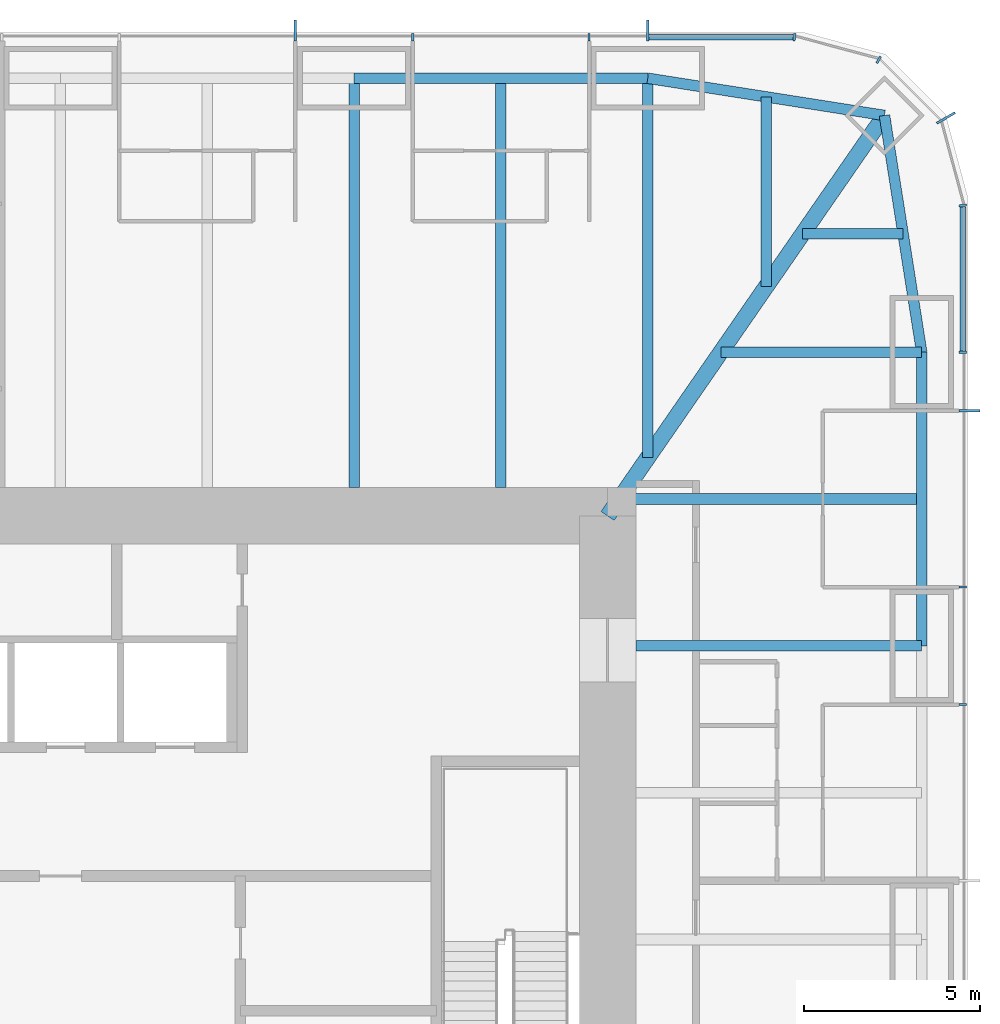
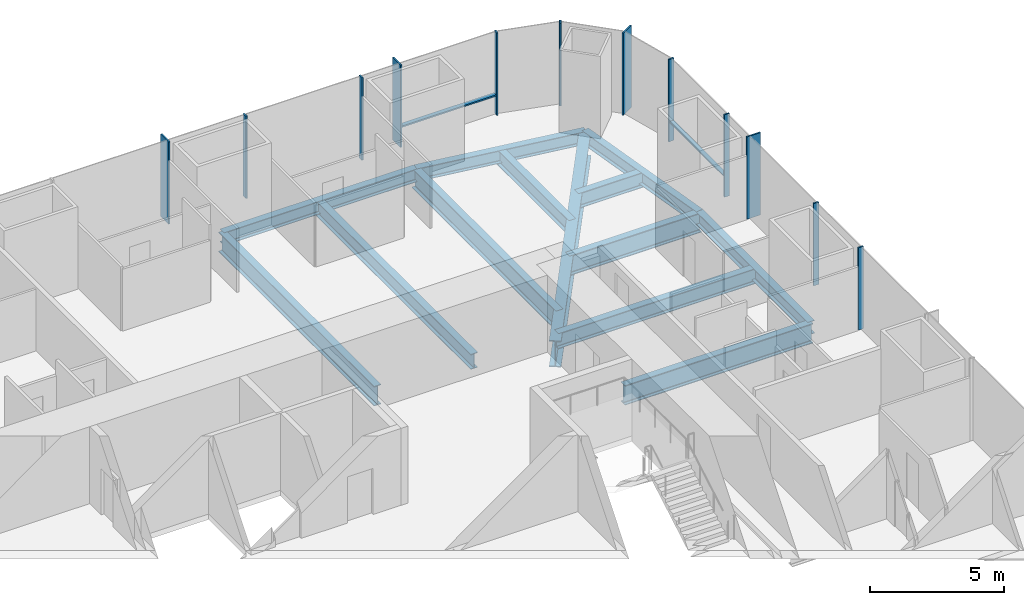
# One storey, part 6 of 13: 14 members, 13 beams, 3 elements without a shape of their own.
"""IFC4 building model written with IfcOpenShell, lengths in metres."""

import ifcopenshell
import ifcopenshell.guid

model = None  # the IFC model being written
_history = None  # IfcOwnerHistory: only IFC2X3 demands one
_inside = {}  # id of a spatial element -> (the spatial element, [elements in it])
_under = {}  # id of a project, library or spatial element -> (it, [spatial elements below it])
_declared = {}  # id of a project -> (the project, [libraries it declares])
_typed = {}  # id of a type object -> (the type object, [elements of that type])
_made_of = {}  # id of a material, layer set ... -> (it, [elements and type objects made of it])


def new_model(schema):
    """Start an empty IFC model of exactly this schema.

    Asked for "IFC4X3", IfcOpenShell would pick the latest addendum, in which some entities
    have other attributes; the version numbers below select the first issue.
    IFC2X3 requires an IfcOwnerHistory on every rooted entity: one is made here for all.
    """
    global model, _history
    if schema == "IFC4X3":
        model = ifcopenshell.file(schema_version=(4, 3, 0, 0))
    else:
        model = ifcopenshell.file(schema=schema)
    _inside.clear()
    _under.clear()
    _declared.clear()
    _typed.clear()
    _made_of.clear()
    _history = None
    if model.schema == "IFC2X3":
        org = make("IfcOrganization", Name="unknown")
        user = make(
            "IfcPersonAndOrganization",
            ThePerson=make("IfcPerson", FamilyName="unknown"),
            TheOrganization=org,
        )
        app = make(
            "IfcApplication",
            ApplicationDeveloper=org,
            Version="unknown",
            ApplicationFullName="unknown",
            ApplicationIdentifier="unknown",
        )
        _history = make(
            "IfcOwnerHistory",
            OwningUser=user,
            OwningApplication=app,
            ChangeAction="ADDED",
            CreationDate=0,
        )
    return model


def make(cls, **values):
    """One entity of the class cls with the attributes given. An attribute that is None is left unset."""
    return model.create_entity(
        cls, **{name: value for name, value in values.items() if value is not None}
    )


def rooted(cls, **values):
    """An entity with a GlobalId (a new one), such as an element, a storey or a relation."""
    return make(cls, GlobalId=ifcopenshell.guid.new(), OwnerHistory=_history, **values)


def si_unit(unit_type, name, prefix=None):
    """IfcSIUnit, for example si_unit("LENGTHUNIT", "METRE", prefix="MILLI")."""
    return make("IfcSIUnit", UnitType=unit_type, Prefix=prefix, Name=name)


def assignment(units):
    """IfcUnitAssignment: the units of a project."""
    return None if units is None else make("IfcUnitAssignment", Units=units)


def point(xyz):
    """IfcCartesianPoint."""
    return None if xyz is None else make("IfcCartesianPoint", Coordinates=xyz)


def direction(xyz):
    """IfcDirection."""
    return None if xyz is None else make("IfcDirection", DirectionRatios=xyz)


def frame(location, z_axis=None, x_axis=None):
    """IfcAxis2Placement3D, a coordinate frame: its origin and axes. An axis left out is left unset."""
    return make(
        "IfcAxis2Placement3D",
        Location=point(location),
        Axis=direction(z_axis),
        RefDirection=direction(x_axis),
    )


def frame_2d(location, x_axis=None):
    """IfcAxis2Placement2D, a coordinate frame in the plane: its origin and x axis."""
    return make(
        "IfcAxis2Placement2D", Location=point(location), RefDirection=direction(x_axis)
    )


def origin():
    """The frame at (0, 0, 0) with its axes left unset."""
    return frame((0.0, 0.0, 0.0))


def origin_2d():
    """The frame at (0, 0) in the plane with its x axis left unset."""
    return frame_2d((0.0, 0.0))


def place(relative_to, where):
    """IfcLocalPlacement: puts the frame where relative to a parent placement (None: the world)."""
    return make(
        "IfcLocalPlacement", PlacementRelTo=relative_to, RelativePlacement=where
    )


def context(
    kind, dimensions, precision=None, world=None, true_north=None, identifier=None
):
    """IfcGeometricRepresentationContext, for example the 3D "Model" context."""
    return make(
        "IfcGeometricRepresentationContext",
        ContextIdentifier=identifier,
        ContextType=kind,
        CoordinateSpaceDimension=dimensions,
        Precision=precision,
        WorldCoordinateSystem=world,
        TrueNorth=true_north,
    )


def subcontext(parent, identifier, kind, view, scale=None):
    """IfcGeometricRepresentationSubContext, for example "Body" below "Model"."""
    return make(
        "IfcGeometricRepresentationSubContext",
        ContextIdentifier=identifier,
        ContextType=kind,
        ParentContext=parent,
        TargetScale=scale,
        TargetView=view,
    )


def project(units=None, contexts=None):
    """IfcProject with its units and contexts."""
    return rooted(
        "IfcProject",
        Name="project",
        RepresentationContexts=contexts,
        UnitsInContext=assignment(units),
    )


def spatial(cls, under=None, at=None, **own):
    """A site, building, storey or space (cls), placed at a placement, below another one or the project."""
    s = rooted(cls, ObjectPlacement=at, **own)
    if under is not None:
        _under.setdefault(under.id(), (under, []))[1].append(s)
    return s


def profile(cls, at=None, kind="AREA", **sizes):
    """A parametric profile (cls). Its sizes go by their IFC names, for example OverallWidth=200.0."""
    return make(cls, ProfileType=kind, Position=at, **sizes)


def rectangle(**sizes):
    """IfcRectangleProfileDef."""
    return profile("IfcRectangleProfileDef", **sizes)


def i_section(**sizes):
    """IfcIShapeProfileDef."""
    return profile("IfcIShapeProfileDef", **sizes)


def extrude(swept, where, along, depth):
    """IfcExtrudedAreaSolid: the profile swept, set in the frame where, extruded along a direction by depth."""
    return make(
        "IfcExtrudedAreaSolid",
        SweptArea=swept,
        Position=where,
        ExtrudedDirection=direction(along),
        Depth=depth,
    )


def shape(context_of_items, identifier, shape_type, items):
    """IfcShapeRepresentation: the items that make up one representation, for example the "Body"."""
    return make(
        "IfcShapeRepresentation",
        ContextOfItems=context_of_items,
        RepresentationIdentifier=identifier,
        RepresentationType=shape_type,
        Items=items,
    )


def material(Name=None, Category=None):
    """IfcMaterial."""
    return make("IfcMaterial", Name=Name, Category=Category)


def material_profile(
    of_material, cross_section, Name=None, Category=None, Priority=None
):
    """IfcMaterialProfile: a cross section and its material."""
    return make(
        "IfcMaterialProfile",
        Name=Name,
        Material=of_material,
        Profile=cross_section,
        Priority=Priority,
        Category=Category,
    )


def profile_set(profiles, Name=None, composite=None):
    """IfcMaterialProfileSet."""
    return make(
        "IfcMaterialProfileSet",
        Name=Name,
        MaterialProfiles=profiles,
        CompositeProfile=composite,
    )


def made_of(thing, what):
    """Note that an element or type object is made of a material, layer set ...; save() writes the relation."""
    if what is not None:
        _made_of.setdefault(what.id(), (what, []))[1].append(thing)
    return thing


def type_object(cls, material=None, **own):
    """A type object (cls), such as IfcWallType, which elements share."""
    return made_of(rooted(cls, **own), material)


def element(
    cls,
    number,
    at=None,
    inside=None,
    cuts=None,
    type_object=None,
    material=None,
    context=None,
    identifier="Body",
    shape_type=None,
    held_by="IfcProductDefinitionShape",
    body=None,
    shapes=None,
    **own,
):
    """One element of the class cls, such as IfcWall. Its Tag is "e" and its number.

    at: its placement. inside: the storey or other place that contains it. cuts: it is an
    opening in that element (IfcRelVoidsElement). A single representation is given by context,
    identifier, shape_type and body (its items); several are given by shapes. held_by: the class
    of the entity that holds the representations. save() writes the other relations.
    """
    e = rooted(cls, Tag="e%d" % number, ObjectPlacement=at, **own)
    if body is not None:
        shapes = [shape(context, identifier, shape_type, body)]
    if shapes is not None:
        e.Representation = make(held_by, Representations=shapes)
    if inside is not None:
        _inside.setdefault(inside.id(), (inside, []))[1].append(e)
    if cuts is not None:
        rooted(
            "IfcRelVoidsElement", RelatingBuildingElement=cuts, RelatedOpeningElement=e
        )
    if type_object is not None:
        _typed.setdefault(type_object.id(), (type_object, []))[1].append(e)
    return made_of(e, material)


def aggregate(whole, parts):
    """IfcRelAggregates: a whole, such as a stair, and the parts it consists of."""
    return rooted("IfcRelAggregates", RelatingObject=whole, RelatedObjects=parts)


def save(model, path):
    """Write the relations noted so far, then the file.

    IfcRelAggregates (storeys below a building ...), IfcRelContainedInSpatialStructure (elements
    in a storey), IfcRelDefinesByType, IfcRelAssociatesMaterial and IfcRelDeclares: one each for
    every whole, place, type object, material and project.
    """
    for whole, parts in _under.values():
        aggregate(whole, parts)
    for where, things in _inside.values():
        rooted(
            "IfcRelContainedInSpatialStructure",
            RelatedElements=things,
            RelatingStructure=where,
        )
    for kind, things in _typed.values():
        rooted("IfcRelDefinesByType", RelatedObjects=things, RelatingType=kind)
    for what, things in _made_of.values():
        rooted("IfcRelAssociatesMaterial", RelatedObjects=things, RelatingMaterial=what)
    for by, libraries in _declared.values():
        rooted("IfcRelDeclares", RelatingContext=by, RelatedDefinitions=libraries)
    model.write(path)


model = new_model("IFC4")

# Units and contexts
model_context = context("Model", 3, precision=1e-05, world=origin(), true_north=direction((0.0, 1.0)))
body_context = subcontext(model_context, "Body", "Model", "MODEL_VIEW")
ifc_project = project(units=[si_unit("LENGTHUNIT", "METRE"), si_unit("AREAUNIT", "SQUARE_METRE"), si_unit("VOLUMEUNIT", "CUBIC_METRE"), si_unit("PLANEANGLEUNIT", "RADIAN"), si_unit("MASSUNIT", "GRAM", prefix="KILO")], contexts=[model_context])

# Site, building, storey
site_placement = place(None, origin())
site = spatial("IfcSite", under=ifc_project, at=site_placement, CompositionType="ELEMENT")
building_placement = place(site_placement, origin())
building = spatial("IfcBuilding", under=site, at=building_placement, Name="Khuree Lantern Residences", CompositionType="ELEMENT")
storey_placement = place(building_placement, frame((0.0, 0.0, 263.25)))
storey = spatial("IfcBuildingStorey", under=building, at=storey_placement, Name="L66", CompositionType="ELEMENT", Elevation=263.25)

# Beams
ifc_material_1 = material(Name="Steel S355", Category="steel")
ifc_material_profile_1 = material_profile(ifc_material_1, i_section(OverallWidth=0.300048828125, OverallDepth=0.68994140625, WebThickness=0.014404296875, FlangeThickness=0.027099609375, FilletRadius=0.027099609375, at=origin_2d()), Name="HE 700 A")
ifc_profile_set_1 = profile_set([ifc_material_profile_1], Name="Steel S355")
beam_type_1 = type_object("IfcBeamType", Name="B-35 SECONDARY BEAM HE 700 A", PredefinedType="BEAM", material=ifc_profile_set_1)
beam_1_placement = place(storey_placement, frame((12.47998046875, 24.39990234375, -0.594970703125), z_axis=(0.0, -1.0, 0.0), x_axis=(1.0, 0.0, 0.0)))
element("IfcBeam", 1, at=beam_1_placement, inside=storey, type_object=beam_type_1, Name="Secondary beam N4", PredefinedType="BEAM", context=body_context, shape_type="SweptSolid", body=[
    extrude(i_section(OverallWidth=0.300048828125, OverallDepth=0.68994140625, WebThickness=0.014404296875, FlangeThickness=0.027099609375, FilletRadius=0.027099609375, at=origin_2d()), origin(), (0.0, 0.0, 1.0), 11.599853515625),
])
beam_2_placement = place(storey_placement, frame((19.992919921875, 23.872802734375, -0.594970703125), z_axis=(0.0, -1.0, 0.0), x_axis=(1.0, 0.0, 0.0)))
element("IfcBeam", 2, at=beam_2_placement, inside=storey, type_object=beam_type_1, Name="Secondary beam N5", PredefinedType="BEAM", context=body_context, shape_type="SweptSolid", body=[
    extrude(i_section(OverallWidth=0.300048828125, OverallDepth=0.68994140625, WebThickness=0.014404296875, FlangeThickness=0.027099609375, FilletRadius=0.027099609375, at=origin_2d()), origin(), (0.0, 0.0, 1.0), 5.375732421875),
])
beam_3_placement = place(storey_placement, frame((23.872802734375, 19.992919921875, -0.594970703125), z_axis=(-1.0, 0.0, 0.0), x_axis=(0.0, -1.0, 0.0)))
element("IfcBeam", 3, at=beam_3_placement, inside=storey, type_object=beam_type_1, Name="Secondary beam E1", PredefinedType="BEAM", context=body_context, shape_type="SweptSolid", body=[
    extrude(i_section(OverallWidth=0.300048828125, OverallDepth=0.68994140625, WebThickness=0.014404296875, FlangeThickness=0.027099609375, FilletRadius=0.027099609375, at=origin_2d()), origin(), (0.0, 0.0, 1.0), 2.845703125),
])
beam_4_placement = place(storey_placement, frame((24.39990234375, 12.47998046875, -0.594970703125), z_axis=(-1.0, 0.0, 0.0), x_axis=(0.0, -1.0, 0.0)))
element("IfcBeam", 4, at=beam_4_placement, inside=storey, type_object=beam_type_1, Name="Secondary beam E2", PredefinedType="BEAM", context=body_context, shape_type="SweptSolid", body=[
    extrude(i_section(OverallWidth=0.300048828125, OverallDepth=0.68994140625, WebThickness=0.014404296875, FlangeThickness=0.027099609375, FilletRadius=0.027099609375, at=origin_2d()), origin(), (0.0, 0.0, 1.0), 8.56787109375),
])
ifc_material_profile_2 = material_profile(ifc_material_1, i_section(OverallWidth=0.300048828125, OverallDepth=0.590087890625, WebThickness=0.012939453125, FlangeThickness=0.02490234375, FilletRadius=0.027099609375, at=origin_2d()), Name="HE 600 A")
ifc_profile_set_2 = profile_set([ifc_material_profile_2], Name="Steel S355")
beam_type_2 = type_object("IfcBeamType", Name="E-35 SPANDREL BEAM HE 600 A", PredefinedType="SPANDREL", material=ifc_profile_set_2)
beam_5_placement = place(storey_placement, frame((8.320068359375, 24.39990234375, -0.544921875), z_axis=(1.0, 0.0, 0.0), x_axis=(0.0, 1.0, 0.0)))
element("IfcBeam", 5, at=beam_5_placement, inside=storey, type_object=beam_type_2, Name="Spandrel beam N4", PredefinedType="SPANDREL", context=body_context, shape_type="SweptSolid", body=[
    extrude(i_section(OverallWidth=0.300048828125, OverallDepth=0.590087890625, WebThickness=0.012939453125, FlangeThickness=0.02490234375, FilletRadius=0.027099609375, at=origin_2d()), origin(), (0.0, 0.0, 1.0), 8.31982421875),
])
for number, where, z_axis, x_axis, name in (
    (6, (16.639892578125, 24.39990234375, -0.544921875), (0.98786743189, -0.155299507442, 0.0), (0.155299507442, 0.98786743189, 0.0), "Spandrel beam N5"),
    (7, (23.345703125, 23.345703125, -0.544921875), (0.155299507442, -0.98786743189, 0.0), (0.98786743189, 0.155299507442, 0.0), "Spandrel beam E1"),
):
    element("IfcBeam", number, at=place(storey_placement, frame(where, z_axis=z_axis, x_axis=x_axis)), inside=storey, type_object=beam_type_2, Name=name, PredefinedType="SPANDREL", context=body_context, shape_type="SweptSolid", body=[
        extrude(i_section(OverallWidth=0.300048828125, OverallDepth=0.590087890625, WebThickness=0.012939453125, FlangeThickness=0.02490234375, FilletRadius=0.027099609375, at=origin_2d()), origin(), (0.0, 0.0, 1.0), 6.7880859375),
    ])
beam_6_placement = place(storey_placement, frame((24.39990234375, 16.639892578125, -0.544921875), z_axis=(0.0, -1.0, 0.0), x_axis=(1.0, 0.0, 0.0)))
element("IfcBeam", 8, at=beam_6_placement, inside=storey, type_object=beam_type_2, Name="Spandrel beam E2", PredefinedType="SPANDREL", context=body_context, shape_type="SweptSolid", body=[
    extrude(i_section(OverallWidth=0.300048828125, OverallDepth=0.590087890625, WebThickness=0.012939453125, FlangeThickness=0.02490234375, FilletRadius=0.027099609375, at=origin_2d()), origin(), (0.0, 0.0, 1.0), 8.31982421875),
])

# Curtain wall, member
ifc_material_2 = material(Name="Bronze anodised aluminium", Category="aluminium")
curtain_wall_type_1 = type_object("IfcCurtainWallType", Name="CW-T1 TOWER FACE CURTAIN WALL", PredefinedType="USERDEFINED", material=ifc_material_2)
curtain_wall_1_placement = place(storey_placement, origin())
curtain_wall_1 = element("IfcCurtainWall", 9, at=curtain_wall_1_placement, inside=storey, type_object=curtain_wall_type_1, Name="L66 EAST FACE CURTAIN WALL", ObjectType="Stick-built curtain wall", PredefinedType="USERDEFINED")
ifc_material_profile_3 = material_profile(ifc_material_2, rectangle(XDim=0.06494140625, YDim=0.60009765625, at=origin_2d()), Name="F1 65X600")
ifc_profile_set_3 = profile_set([ifc_material_profile_3], Name="Bronze anodised aluminium")
member_type_1 = type_object("IfcMemberType", Name="F1 BRONZE FIN MULLION TOWER 65X600", PredefinedType="MULLION", material=ifc_profile_set_3)
member_1_placement = place(storey_placement, frame((25.75, 14.97607421875, 0.0), z_axis=(0.0, 0.0, 1.0), x_axis=(0.0, 1.0, 0.0)))
member_1 = element("IfcMember", 10, at=member_1_placement, type_object=member_type_1, Name="L66 EAST FACE FIN MULLION 13", PredefinedType="MULLION", context=body_context, shape_type="SweptSolid", body=[
    extrude(rectangle(XDim=0.06494140625, YDim=0.60009765625, at=origin_2d()), origin(), (0.0, 0.0, 1.0), 3.75),
])

curtain_wall_type_2 = type_object("IfcCurtainWallType", Name="CW-T2 TOWER CORNER CURTAIN WALL", PredefinedType="USERDEFINED", material=ifc_material_2)
curtain_wall_2_placement = place(storey_placement, origin())
curtain_wall_2 = element("IfcCurtainWall", 11, at=curtain_wall_2_placement, inside=storey, type_object=curtain_wall_type_2, Name="L66 NORTH-EAST CORNER CURTAIN WALL", ObjectType="Faceted corner curtain wall", PredefinedType="USERDEFINED")
member_2_placement = place(storey_placement, frame((25.0869140625, 23.27490234375, 0.0), z_axis=(0.0, 0.0, 1.0), x_axis=(-0.499999989586, 0.866025409797, 0.0)))
member_2 = element("IfcMember", 12, at=member_2_placement, type_object=member_type_1, Name="L66 NORTH-EAST CORNER FIN MULLION 16", PredefinedType="MULLION", context=body_context, shape_type="SweptSolid", body=[
    extrude(rectangle(XDim=0.06494140625, YDim=0.60009765625, at=origin_2d()), origin(), (0.0, 0.0, 1.0), 3.75),
])

# Curtain wall, members
curtain_wall_3_placement = place(storey_placement, origin())
curtain_wall_3 = element("IfcCurtainWall", 13, at=curtain_wall_3_placement, inside=storey, type_object=curtain_wall_type_1, Name="L66 NORTH FACE CURTAIN WALL", ObjectType="Stick-built curtain wall", PredefinedType="USERDEFINED")
member_3_placement = place(storey_placement, frame((16.639892578125, 25.75, 0.0), z_axis=(0.0, 0.0, 1.0), x_axis=(-1.0, 0.0, 0.0)))
member_3 = element("IfcMember", 14, at=member_3_placement, type_object=member_type_1, Name="L66 NORTH FACE FIN MULLION 19", PredefinedType="MULLION", context=body_context, shape_type="SweptSolid", body=[
    extrude(rectangle(XDim=0.06494140625, YDim=0.60009765625, at=origin_2d()), origin(), (0.0, 0.0, 1.0), 3.75),
])
member_4_placement = place(storey_placement, frame((6.656005859375, 25.75, 0.0), z_axis=(0.0, 0.0, 1.0), x_axis=(-1.0, 0.0, 0.0)))
member_4 = element("IfcMember", 15, at=member_4_placement, type_object=member_type_1, Name="L66 NORTH FACE FIN MULLION 22", PredefinedType="MULLION", context=body_context, shape_type="SweptSolid", body=[
    extrude(rectangle(XDim=0.06494140625, YDim=0.60009765625, at=origin_2d()), origin(), (0.0, 0.0, 1.0), 3.75),
])

# Beams
ifc_material_profile_4 = material_profile(ifc_material_1, i_section(OverallWidth=0.300048828125, OverallDepth=0.89990234375, WebThickness=0.0185546875, FlangeThickness=0.034912109375, FilletRadius=0.030029296875, at=origin_2d()), Name="HE 900 B")
ifc_profile_set_4 = profile_set([ifc_material_profile_4], Name="Steel S355")
beam_type_3 = type_object("IfcBeamType", Name="G-35 GIRDER HE 900 B", PredefinedType="BEAM", material=ifc_profile_set_4)
beam_7_placement = place(storey_placement, frame((8.320068359375, 24.39990234375, -0.699951171875), z_axis=(0.0, -1.0, 0.0), x_axis=(1.0, 0.0, 0.0)))
element("IfcBeam", 16, at=beam_7_placement, inside=storey, type_object=beam_type_3, Name="Girder N4", PredefinedType="BEAM", context=body_context, shape_type="SweptSolid", body=[
    extrude(i_section(OverallWidth=0.300048828125, OverallDepth=0.89990234375, WebThickness=0.0185546875, FlangeThickness=0.034912109375, FilletRadius=0.030029296875, at=origin_2d()), origin(), (0.0, 0.0, 1.0), 11.599853515625),
])
beam_8_placement = place(storey_placement, frame((16.639892578125, 24.39990234375, -0.699951171875), z_axis=(0.0, -1.0, 0.0), x_axis=(1.0, 0.0, 0.0)))
element("IfcBeam", 17, at=beam_8_placement, inside=storey, type_object=beam_type_3, Name="Girder N5", PredefinedType="BEAM", context=body_context, shape_type="SweptSolid", body=[
    extrude(i_section(OverallWidth=0.300048828125, OverallDepth=0.89990234375, WebThickness=0.0185546875, FlangeThickness=0.034912109375, FilletRadius=0.030029296875, at=origin_2d()), origin(), (0.0, 0.0, 1.0), 10.751220703125),
])
beam_9_placement = place(storey_placement, frame((24.39990234375, 16.639892578125, -0.699951171875), z_axis=(-1.0, 0.0, 0.0), x_axis=(0.0, -1.0, 0.0)))
element("IfcBeam", 18, at=beam_9_placement, inside=storey, type_object=beam_type_3, Name="Girder E1", PredefinedType="BEAM", context=body_context, shape_type="SweptSolid", body=[
    extrude(i_section(OverallWidth=0.300048828125, OverallDepth=0.89990234375, WebThickness=0.0185546875, FlangeThickness=0.034912109375, FilletRadius=0.030029296875, at=origin_2d()), origin(), (0.0, 0.0, 1.0), 5.69140625),
])
beam_10_placement = place(storey_placement, frame((24.39990234375, 8.320068359375, -0.699951171875), z_axis=(-1.0, 0.0, 0.0), x_axis=(0.0, -1.0, 0.0)))
element("IfcBeam", 19, at=beam_10_placement, inside=storey, type_object=beam_type_3, Name="Girder E2", PredefinedType="BEAM", context=body_context, shape_type="SweptSolid", body=[
    extrude(i_section(OverallWidth=0.300048828125, OverallDepth=0.89990234375, WebThickness=0.0185546875, FlangeThickness=0.034912109375, FilletRadius=0.030029296875, at=origin_2d()), origin(), (0.0, 0.0, 1.0), 8.099853515625),
])
ifc_material_profile_5 = material_profile(ifc_material_1, i_section(OverallWidth=0.449951171875, OverallDepth=1.199951171875, WebThickness=0.02490234375, FlangeThickness=0.044921875, at=origin_2d()), Name="WELDED I 1200X450X25X45")
ifc_profile_set_5 = profile_set([ifc_material_profile_5], Name="Steel S355")
beam_type_4 = type_object("IfcBeamType", Name="GD-35 CORNER GIRDER WELDED I 1200X450X25X45", PredefinedType="BEAM", material=ifc_profile_set_5)
beam_11_placement = place(storey_placement, frame((23.345703125, 23.345703125, -0.85009765625), z_axis=(-0.56876813501, -0.822497907959, 0.0), x_axis=(0.822497907959, -0.56876813501, 0.0)))
element("IfcBeam", 20, at=beam_11_placement, inside=storey, type_object=beam_type_4, Name="Corner girder NE", PredefinedType="BEAM", context=body_context, shape_type="SweptSolid", body=[
    extrude(i_section(OverallWidth=0.449951171875, OverallDepth=1.199951171875, WebThickness=0.02490234375, FlangeThickness=0.044921875, at=origin_2d()), origin(), (0.0, 0.0, 1.0), 13.794189453125),
])

# Member
ifc_material_profile_6 = material_profile(ifc_material_2, rectangle(XDim=0.06494140625, YDim=0.219970703125, at=origin_2d()), Name="M1 65X220")
ifc_profile_set_6 = profile_set([ifc_material_profile_6], Name="Bronze anodised aluminium")
member_type_2 = type_object("IfcMemberType", Name="M1 BRONZE MULLION TOWER 65X220", PredefinedType="MULLION", material=ifc_profile_set_6)
member_5_placement = place(storey_placement, frame((25.56005859375, 6.656005859375, 0.0), z_axis=(0.0, 0.0, 1.0), x_axis=(0.0, 1.0, 0.0)))
member_5 = element("IfcMember", 21, at=member_5_placement, type_object=member_type_2, Name="L66 EAST FACE MULLION 11", PredefinedType="MULLION", context=body_context, shape_type="SweptSolid", body=[
    extrude(rectangle(XDim=0.06494140625, YDim=0.219970703125, at=origin_2d()), origin(), (0.0, 0.0, 1.0), 3.75),
])

member_6_placement = place(storey_placement, frame((25.56005859375, 9.98388671875, 0.0), z_axis=(0.0, 0.0, 1.0), x_axis=(0.0, 1.0, 0.0)))
member_6 = element("IfcMember", 22, at=member_6_placement, type_object=member_type_2, Name="L66 EAST FACE MULLION 12", PredefinedType="MULLION", context=body_context, shape_type="SweptSolid", body=[
    extrude(rectangle(XDim=0.06494140625, YDim=0.219970703125, at=origin_2d()), origin(), (0.0, 0.0, 1.0), 3.75),
])

member_7_placement = place(storey_placement, frame((25.56005859375, 16.639892578125, 0.0), z_axis=(0.0, 0.0, 1.0), x_axis=(0.0, 1.0, 0.0)))
member_7 = element("IfcMember", 23, at=member_7_placement, type_object=member_type_2, Name="L66 EAST FACE MULLION 14", PredefinedType="MULLION", context=body_context, shape_type="SweptSolid", body=[
    extrude(rectangle(XDim=0.06494140625, YDim=0.219970703125, at=origin_2d()), origin(), (0.0, 0.0, 1.0), 3.75),
])

member_8_placement = place(storey_placement, frame((25.561767578125, 20.794921875, 0.0), z_axis=(0.0, 0.0, 1.0), x_axis=(-0.130526180298, 0.991444862943, 0.0)))
member_8 = element("IfcMember", 24, at=member_8_placement, type_object=member_type_2, Name="L66 NORTH-EAST CORNER MULLION 15", PredefinedType="MULLION", context=body_context, shape_type="SweptSolid", body=[
    extrude(rectangle(XDim=0.06494140625, YDim=0.219970703125, at=origin_2d()), origin(), (0.0, 0.0, 1.0), 3.75),
])

member_9_placement = place(storey_placement, frame((23.179931640625, 24.92236328125, 0.0), z_axis=(0.0, 0.0, 1.0), x_axis=(-0.866025409797, 0.499999989586, 0.0)))
member_9 = element("IfcMember", 25, at=member_9_placement, type_object=member_type_2, Name="L66 NORTH-EAST CORNER MULLION 17", PredefinedType="MULLION", context=body_context, shape_type="SweptSolid", body=[
    extrude(rectangle(XDim=0.06494140625, YDim=0.219970703125, at=origin_2d()), origin(), (0.0, 0.0, 1.0), 3.75),
])

aggregate(curtain_wall_2, [member_8, member_2, member_9])

member_10_placement = place(storey_placement, frame((20.794921875, 25.561767578125, 0.0), z_axis=(0.0, 0.0, 1.0), x_axis=(-0.991444862943, 0.130526180298, 0.0)))
member_10 = element("IfcMember", 26, at=member_10_placement, type_object=member_type_2, Name="L66 NORTH FACE MULLION 18", PredefinedType="MULLION", context=body_context, shape_type="SweptSolid", body=[
    extrude(rectangle(XDim=0.06494140625, YDim=0.219970703125, at=origin_2d()), origin(), (0.0, 0.0, 1.0), 3.75),
])

member_11_placement = place(storey_placement, frame((14.97607421875, 25.56005859375, 0.0), z_axis=(0.0, 0.0, 1.0), x_axis=(-1.0, 0.0, 0.0)))
member_11 = element("IfcMember", 27, at=member_11_placement, type_object=member_type_2, Name="L66 NORTH FACE MULLION 20", PredefinedType="MULLION", context=body_context, shape_type="SweptSolid", body=[
    extrude(rectangle(XDim=0.06494140625, YDim=0.219970703125, at=origin_2d()), origin(), (0.0, 0.0, 1.0), 3.75),
])

member_12_placement = place(storey_placement, frame((9.98388671875, 25.56005859375, 0.0), z_axis=(0.0, 0.0, 1.0), x_axis=(-1.0, 0.0, 0.0)))
member_12 = element("IfcMember", 28, at=member_12_placement, type_object=member_type_2, Name="L66 NORTH FACE MULLION 21", PredefinedType="MULLION", context=body_context, shape_type="SweptSolid", body=[
    extrude(rectangle(XDim=0.06494140625, YDim=0.219970703125, at=origin_2d()), origin(), (0.0, 0.0, 1.0), 3.75),
])

ifc_material_profile_7 = material_profile(ifc_material_2, rectangle(XDim=0.179931640625, YDim=0.06494140625, at=origin_2d()), Name="T1 180X65")
ifc_profile_set_7 = profile_set([ifc_material_profile_7], Name="Bronze anodised aluminium")
member_type_3 = type_object("IfcMemberType", Name="TRANSOM T1 TOWER 180X65", PredefinedType="USERDEFINED", material=ifc_profile_set_7)
member_13_placement = place(storey_placement, frame((25.570068359375, 16.672607421875, 0.89990234375), z_axis=(0.0, 1.0, 0.0), x_axis=(-1.0, 0.0, 0.0)))
member_13 = element("IfcMember", 29, at=member_13_placement, type_object=member_type_3, Name="L66 EAST FACE TRANSOM 14.1", ObjectType="Transom", PredefinedType="USERDEFINED", context=body_context, shape_type="SweptSolid", body=[
    extrude(rectangle(XDim=0.179931640625, YDim=0.06494140625, at=origin_2d()), origin(), (0.0, 0.0, 1.0), 4.078857421875),
])

aggregate(curtain_wall_1, [member_5, member_6, member_1, member_7, member_13])

member_14_placement = place(storey_placement, frame((20.75146484375, 25.570068359375, 0.89990234375), z_axis=(-1.0, 0.0, 0.0), x_axis=(0.0, -1.0, 0.0)))
member_14 = element("IfcMember", 30, at=member_14_placement, type_object=member_type_3, Name="L66 NORTH FACE TRANSOM 18.1", ObjectType="Transom", PredefinedType="USERDEFINED", context=body_context, shape_type="SweptSolid", body=[
    extrude(rectangle(XDim=0.179931640625, YDim=0.06494140625, at=origin_2d()), origin(), (0.0, 0.0, 1.0), 4.078857421875),
])

aggregate(curtain_wall_3, [member_10, member_3, member_11, member_12, member_4, member_14])

save(model, "model.ifc")
